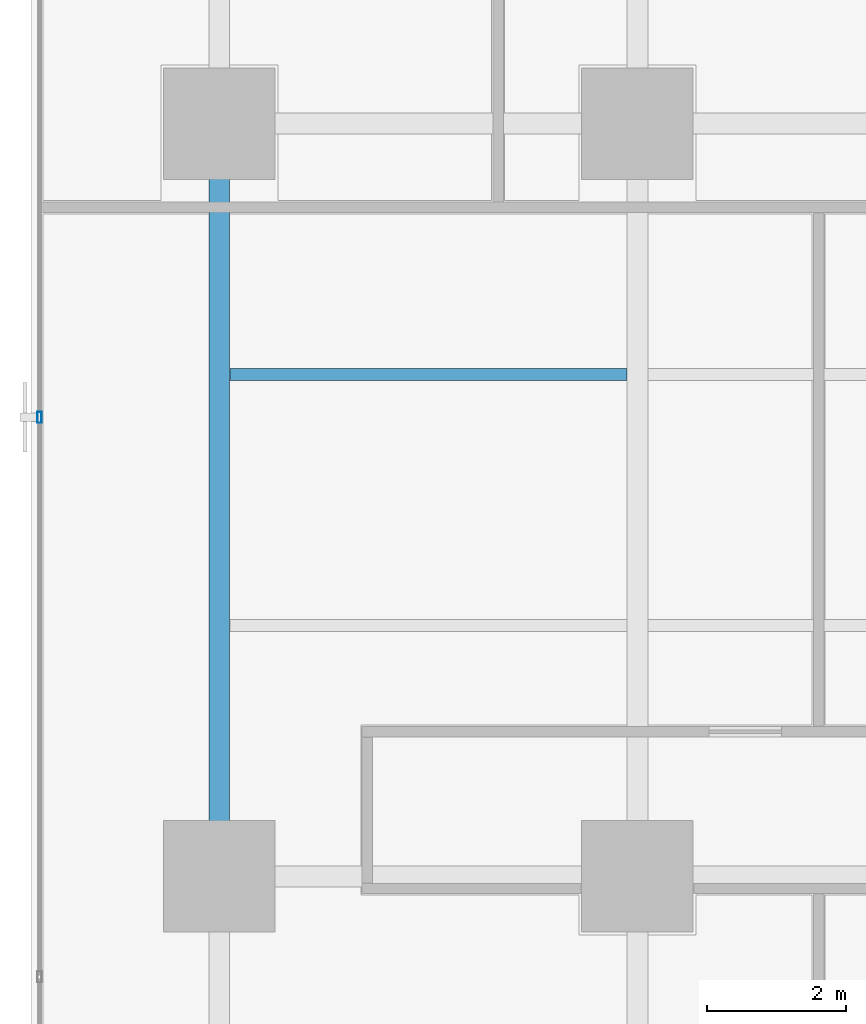
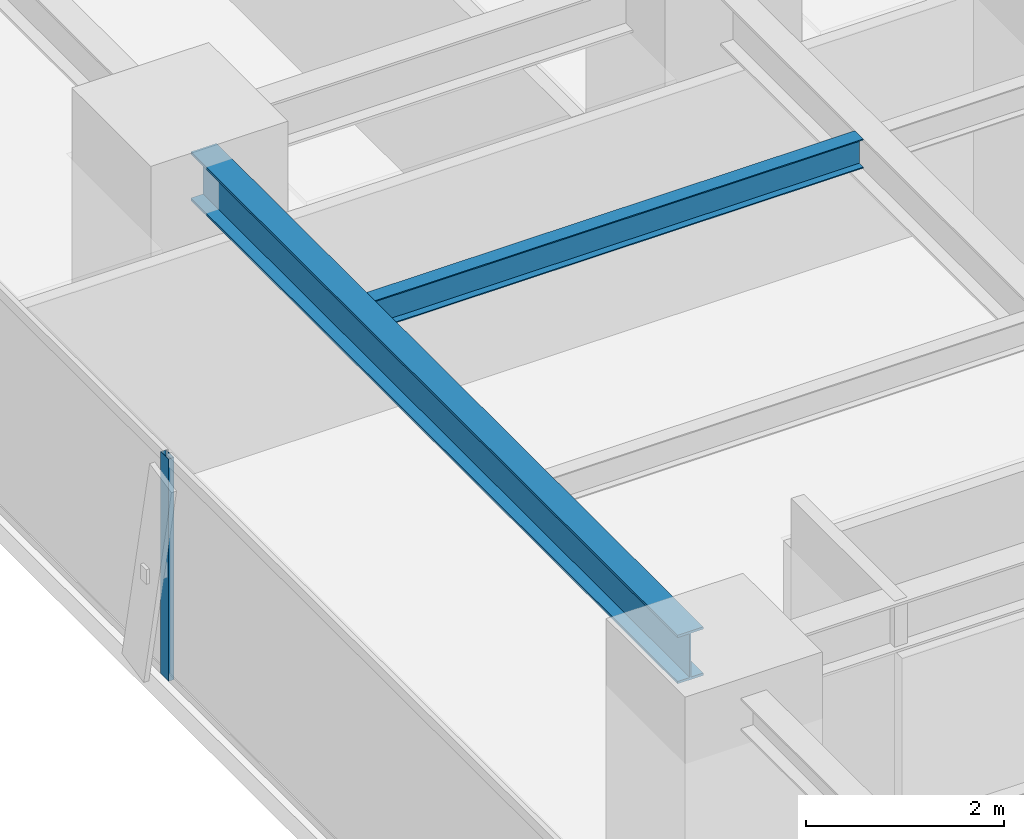
# One storey, part 8 of 34: 2 beams, 1 member, 1 element without a shape of its own.
"""IFC4 building model written with IfcOpenShell, lengths in metres."""

from ifc_helpers import new_model, si_unit, direction, frame, origin, origin_2d, place, context, subcontext, project, spatial, hollow_rectangle, i_section, extrude, source, transform, mapped, material, layer, layer_set, material_profile, profile_set, type_object, element, aggregate, save


model = new_model("IFC4")

# Units and contexts
model_context = context("Model", 3, precision=1e-05, world=origin(), true_north=direction((0.0, 1.0)))
body_context = subcontext(model_context, "Body", "Model", "MODEL_VIEW")
ifc_project = project(units=[si_unit("LENGTHUNIT", "METRE"), si_unit("AREAUNIT", "SQUARE_METRE"), si_unit("VOLUMEUNIT", "CUBIC_METRE"), si_unit("PLANEANGLEUNIT", "RADIAN"), si_unit("MASSUNIT", "GRAM", prefix="KILO")], contexts=[model_context])

# Site, building, storey
site_placement = place(None, origin())
site = spatial("IfcSite", under=ifc_project, at=site_placement, CompositionType="ELEMENT")
building_placement = place(site_placement, origin())
building = spatial("IfcBuilding", under=site, at=building_placement, Name="Sumidabori Civic Tower", CompositionType="ELEMENT")
storey_placement = place(building_placement, frame((0.0, 0.0, 99.199951171875)))
storey = spatial("IfcBuildingStorey", under=building, at=storey_placement, Name="L25", CompositionType="ELEMENT", Elevation=99.199951171875)

# Beams
ifc_material_1 = material(Name="Steel SN490", Category="steel")
ifc_material_profile_1 = material_profile(ifc_material_1, i_section(OverallWidth=0.300048828125, OverallDepth=0.60009765625, WebThickness=0.015380859375, FlangeThickness=0.030029296875, at=origin_2d()), Name="HE 600 B")
ifc_profile_set_1 = profile_set([ifc_material_profile_1], Name="Steel SN490")
beam_type_1 = type_object("IfcBeamType", Name="BM-GIRD-600", PredefinedType="BEAM", material=ifc_profile_set_1)
shared_shape_1 = source(origin(), body_context, "Body", "SweptSolid", [
    extrude(i_section(OverallWidth=0.300048828125, OverallDepth=0.60009765625, WebThickness=0.015380859375, FlangeThickness=0.030029296875, at=origin_2d()), origin(), (0.0, 0.0, 1.0), 9.840087890625),
])
beam_1_placement = place(storey_placement, frame((-22.800048828125, -10.320068359375, 3.06005859375), z_axis=(0.0, 1.0, 0.0), x_axis=(-1.0, 0.0, 0.0)))
element("IfcBeam", 1, at=beam_1_placement, inside=storey, type_object=beam_type_1, Name="Primary Girder L25 GY-22", PredefinedType="BEAM", context=body_context, shape_type="MappedRepresentation", body=[
    mapped(shared_shape_1, transform((0.0, 0.0, 0.0), x_axis=(1.0, 0.0, 0.0), y_axis=(0.0, 1.0, 0.0), z_axis=(0.0, 0.0, 1.0), scale=1.0)),
])
ifc_material_profile_2 = material_profile(ifc_material_1, i_section(OverallWidth=0.169921875, OverallDepth=0.360107421875, WebThickness=0.008056640625, FlangeThickness=0.0126953125, at=origin_2d()), Name="IPE 360")
ifc_profile_set_2 = profile_set([ifc_material_profile_2], Name="Steel SN490")
beam_type_2 = type_object("IfcBeamType", Name="BM-JST-360", PredefinedType="JOIST", material=ifc_profile_set_2)
shared_shape_2 = source(origin(), body_context, "Body", "SweptSolid", [
    extrude(i_section(OverallWidth=0.169921875, OverallDepth=0.360107421875, WebThickness=0.008056640625, FlangeThickness=0.0126953125, at=origin_2d()), origin(), (0.0, 0.0, 1.0), 5.699951171875),
])
beam_2_placement = place(storey_placement, frame((-22.64990234375, -3.60009765625, 3.179931640625), z_axis=(1.0, 0.0, 0.0), x_axis=(0.0, 1.0, 0.0)))
element("IfcBeam", 2, at=beam_2_placement, inside=storey, type_object=beam_type_2, Name="Outer Bay Floor Joist L25 JSTO-45", PredefinedType="JOIST", context=body_context, shape_type="MappedRepresentation", body=[
    mapped(shared_shape_2, transform((0.0, 0.0, 0.0), x_axis=(1.0, 0.0, 0.0), y_axis=(0.0, 1.0, 0.0), z_axis=(0.0, 0.0, 1.0), scale=1.0)),
])

# Curtain wall, member
ifc_material_2 = material(Name="Anodised Bronze Aluminium AW-6063-T6", Category="aluminium")
ifc_layer = layer(ifc_material_2, 0.179931640625, Name="Anodised Bronze Aluminium AW-6063-T6")
ifc_layer_set = layer_set([ifc_layer], Name="Anodised Bronze Aluminium AW-6063-T6")
curtain_wall_type = type_object("IfcCurtainWallType", Name="CW-SYS-3", PredefinedType="NOTDEFINED", material=ifc_layer_set)
curtain_wall_placement = place(storey_placement, origin())
curtain_wall = element("IfcCurtainWall", 3, at=curtain_wall_placement, inside=storey, type_object=curtain_wall_type, Name="Curtain Wall CW:L25:R10", PredefinedType="NOTDEFINED")
ifc_material_profile_3 = material_profile(ifc_material_2, hollow_rectangle(XDim=0.06494140625, YDim=0.159912109375, WallThickness=0.0048828125, at=origin_2d()), Name="ALU MULLION 160x65")
ifc_profile_set_3 = profile_set([ifc_material_profile_3], Name="Anodised Bronze Aluminium AW-6063-T6")
member_type = type_object("IfcMemberType", Name="CW-MUL-160", PredefinedType="MULLION", material=ifc_profile_set_3)
shared_shape_3 = source(origin(), body_context, "Body", "SweptSolid", [
    extrude(hollow_rectangle(XDim=0.06494140625, YDim=0.159912109375, WallThickness=0.0048828125, at=origin_2d()), origin(), (0.0, 0.0, 1.0), 2.739990234375),
])
member_placement = place(storey_placement, frame((-25.3798828125, -4.214111328125, 0.0), z_axis=(0.0, 0.0, 1.0), x_axis=(1.0, 0.0, 0.0)))
member = element("IfcMember", 4, at=member_placement, type_object=member_type, Name="CW-3 mullion 4", PredefinedType="MULLION", context=body_context, shape_type="MappedRepresentation", body=[
    mapped(shared_shape_3, transform((0.0, 0.0, 0.0), x_axis=(1.0, 0.0, 0.0), y_axis=(0.0, 1.0, 0.0), z_axis=(0.0, 0.0, 1.0), scale=1.0)),
])
aggregate(curtain_wall, [member])

save(model, "model.ifc")
